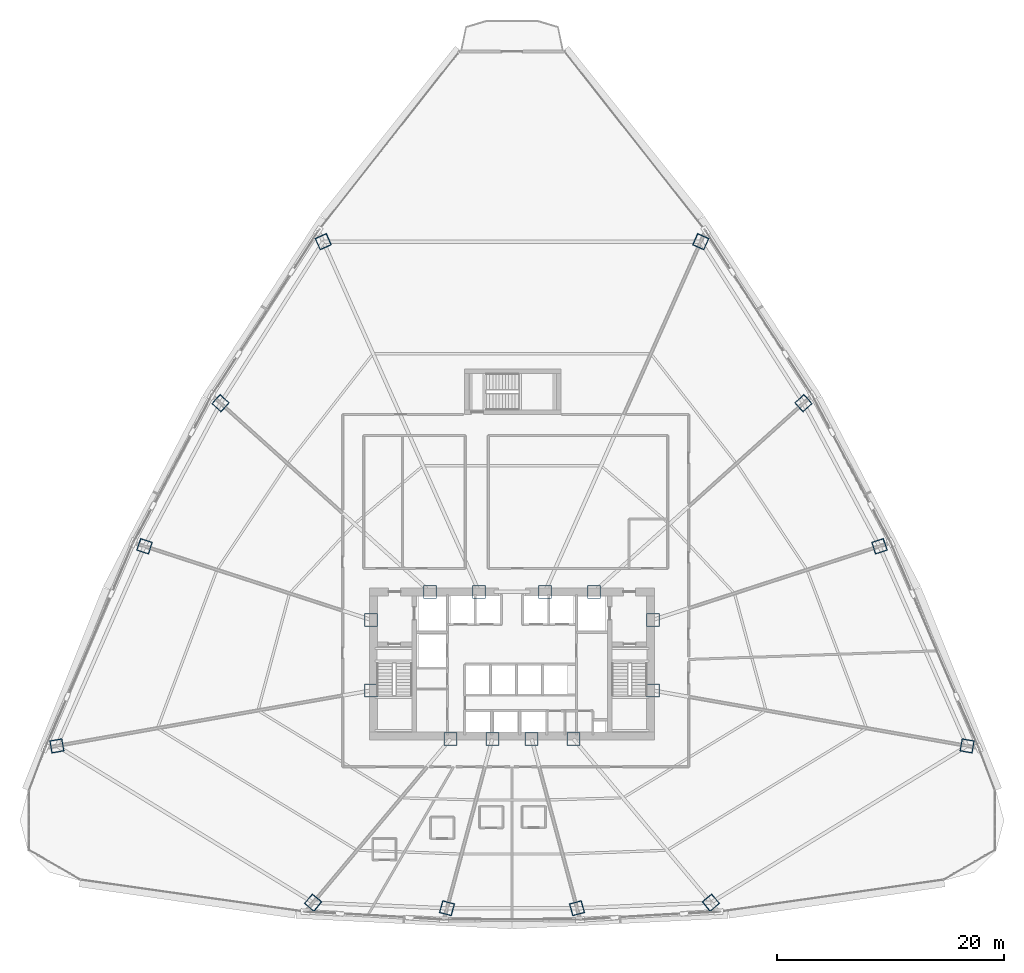
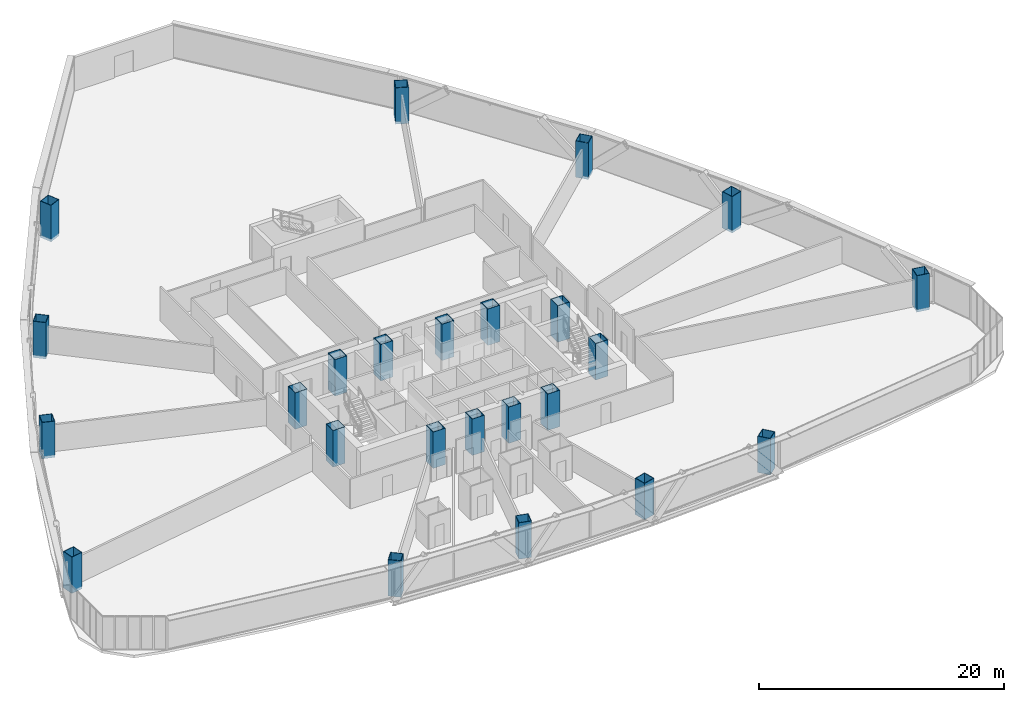
# One storey, part 1 of 41: 24 columns.
"""IFC4 building model written with IfcOpenShell, lengths in metres."""

from ifc_helpers import new_model, si_unit, direction, frame, origin, origin_2d, place, context, subcontext, project, spatial, hollow_rectangle, extrude, source, transform, mapped, material, material_profile, profile_set, type_object, element, save


model = new_model("IFC4")

# Units and contexts
model_context = context("Model", 3, precision=1e-05, world=origin(), true_north=direction((0.0, 1.0)))
body_context = subcontext(model_context, "Body", "Model", "MODEL_VIEW")
ifc_project = project(units=[si_unit("LENGTHUNIT", "METRE"), si_unit("AREAUNIT", "SQUARE_METRE"), si_unit("VOLUMEUNIT", "CUBIC_METRE"), si_unit("PLANEANGLEUNIT", "RADIAN"), si_unit("MASSUNIT", "GRAM", prefix="KILO"), si_unit("THERMODYNAMICTEMPERATUREUNIT", "KELVIN"), si_unit("POWERUNIT", "WATT")], contexts=[model_context])

# Site, building, storey
site_placement = place(None, origin())
site = spatial("IfcSite", under=ifc_project, at=site_placement, CompositionType="ELEMENT")
building_placement = place(site_placement, origin())
building = spatial("IfcBuilding", under=site, at=building_placement, Name="Yunzhuo Pagoda Commons", CompositionType="ELEMENT")
storey_placement = place(building_placement, frame((0.0, 0.0, 63.070068359375)))
storey = spatial("IfcBuildingStorey", under=building, at=storey_placement, Name="L16", CompositionType="ELEMENT", Elevation=63.070068359375)

# Columns
ifc_material = material(Name="Structural steel Q420B", Category="steel")
ifc_material_profile_1 = material_profile(ifc_material, hollow_rectangle(XDim=1.14990234375, YDim=1.14990234375, WallThickness=0.048095703125, at=origin_2d()), Name="Structural steel Q420B")
ifc_profile_set_1 = profile_set([ifc_material_profile_1], Name="Structural steel Q420B")
column_type_1 = type_object("IfcColumnType", Name="C-COR Column BOX 1150x1150x48", PredefinedType="COLUMN", material=ifc_profile_set_1)
shared_shape_1 = source(origin(), body_context, "Body", "SweptSolid", [
    extrude(hollow_rectangle(XDim=1.14990234375, YDim=1.14990234375, WallThickness=0.048095703125, at=origin_2d()), origin(), (0.0, 0.0, 1.0), 3.6298828125),
])
for number, where, z_axis, x_axis, name in (
    (1, (42.587890625, 27.25, -0.260009765625), (0.0, 0.0, 1.0), (1.0, 0.0, 0.0), "L16 core composite column F1C1"),
    (2, (46.27197265625, 27.25, -0.260009765625), (0.0, 0.0, 1.0), (1.0, 0.0, 0.0), "L16 core composite column F1C2"),
    (3, (49.728515625, 27.25, -0.260009765625), (0.0, 0.0, 1.0), (1.0, 0.0, 0.0), "L16 core composite column F1C3"),
    (4, (53.412109375, 27.25, -0.260009765625), (0.0, 0.0, 1.0), (1.0, 0.0, 0.0), "L16 core composite column F1C4"),
    (5, (60.39990234375, 31.513427734375, -0.260009765625), (0.0, 0.0, 1.0), (1.0, 0.0, 0.0), "L16 core composite column F2C1"),
    (6, (60.39990234375, 37.72900390625, -0.260009765625), (0.0, 0.0, 1.0), (1.0, 0.0, 0.0), "L16 core composite column F2C2"),
    (7, (55.218994140625, 40.199951171875, -0.260009765625), (0.0, 0.0, 1.0), (1.0, 0.0, 0.0), "L16 core composite column F2C3"),
    (8, (50.89404296875, 40.199951171875, -0.260009765625), (0.0, 0.0, 1.0), (1.0, 0.0, 0.0), "L16 core composite column F2C4"),
    (9, (45.10595703125, 40.199951171875, -0.260009765625), (0.0, 0.0, 1.0), (1.0, 0.0, 0.0), "L16 core composite column F3C1"),
    (10, (40.781005859375, 40.199951171875, -0.260009765625), (0.0, 0.0, 1.0), (1.0, 0.0, 0.0), "L16 core composite column F3C2"),
    (11, (35.60009765625, 37.72900390625, -0.260009765625), (0.0, 0.0, 1.0), (1.0, 0.0, 0.0), "L16 core composite column F3C3"),
    (12, (35.60009765625, 31.513427734375, -0.260009765625), (0.0, 0.0, 1.0), (1.0, 0.0, 0.0), "L16 core composite column F3C4"),
):
    element("IfcColumn", number, at=place(storey_placement, frame(where, z_axis=z_axis, x_axis=x_axis)), inside=storey, type_object=column_type_1, Name=name, PredefinedType="COLUMN", context=body_context, shape_type="MappedRepresentation", body=[
        mapped(shared_shape_1, transform((0.0, 0.0, 0.0), scale=1.0)),
    ])
ifc_material_profile_2 = material_profile(ifc_material, hollow_rectangle(XDim=1.10009765625, YDim=1.10009765625, WallThickness=0.044921875, at=origin_2d()), Name="Structural steel Q420B")
ifc_profile_set_2 = profile_set([ifc_material_profile_2], Name="Structural steel Q420B")
column_type_2 = type_object("IfcColumnType", Name="C-Z1 Column BOX 1100x1100x45", PredefinedType="COLUMN", material=ifc_profile_set_2)
shared_shape_2 = source(origin(), body_context, "Body", "SweptSolid", [
    extrude(hollow_rectangle(XDim=1.10009765625, YDim=1.10009765625, WallThickness=0.044921875, at=origin_2d()), origin(), (0.0, 0.0, 1.0), 3.6298828125),
])
for number, where, z_axis, x_axis, name in (
    (13, (30.5, 12.844482421875, -0.260009765625), (0.0, 0.0, 1.0), (0.766044443119, -0.642787609687, 0.0), "L16 tower column F1C1"),
    (14, (42.27978515625, 12.35205078125, -0.260009765625), (0.0, 0.0, 1.0), (0.965925826289, -0.258819045103, 0.0), "L16 tower column F1C2"),
    (15, (53.72021484375, 12.35205078125, -0.260009765625), (0.0, 0.0, 1.0), (0.965925826289, 0.258819045103, 0.0), "L16 tower column F1C3"),
    (16, (65.5, 12.844482421875, -0.260009765625), (0.0, 0.0, 1.0), (0.766044443119, 0.642787609687, 0.0), "L16 tower column F1C4"),
    (17, (88.047607421875, 26.638427734375, -0.260009765625), (0.0, 0.0, 1.0), (0.173648177667, 0.984807753012, 0.0), "L16 tower column F2C1"),
    (18, (80.33544921875, 44.206298828125, -0.260009765625), (0.0, 0.0, 1.0), (-0.309016994375, 0.951056516295, 0.0), "L16 tower column F2C2"),
    (19, (73.648681640625, 56.79443359375, -0.260009765625), (0.0, 0.0, 1.0), (-0.669130606359, 0.743144825477, 0.0), "L16 tower column F2C3"),
    (20, (64.61083984375, 71.008544921875, -0.260009765625), (0.0, 0.0, 1.0), (-0.913545457643, 0.406736643076, 0.0), "L16 tower column F2C4"),
    (21, (31.38916015625, 71.008544921875, -0.260009765625), (0.0, 0.0, 1.0), (-0.913545457643, -0.406736643076, 0.0), "L16 tower column F3C1"),
    (22, (22.351318359375, 56.79443359375, -0.260009765625), (0.0, 0.0, 1.0), (-0.669130606359, -0.743144825477, 0.0), "L16 tower column F3C2"),
    (23, (15.66455078125, 44.206298828125, -0.260009765625), (0.0, 0.0, 1.0), (-0.309016994375, -0.951056516295, 0.0), "L16 tower column F3C3"),
    (24, (7.952392578125, 26.638427734375, -0.260009765625), (0.0, 0.0, 1.0), (0.173648177667, -0.984807753012, 0.0), "L16 tower column F3C4"),
):
    element("IfcColumn", number, at=place(storey_placement, frame(where, z_axis=z_axis, x_axis=x_axis)), inside=storey, type_object=column_type_2, Name=name, PredefinedType="COLUMN", context=body_context, shape_type="MappedRepresentation", body=[
        mapped(shared_shape_2, transform((0.0, 0.0, 0.0), scale=1.0)),
    ])

save(model, "model.ifc")
